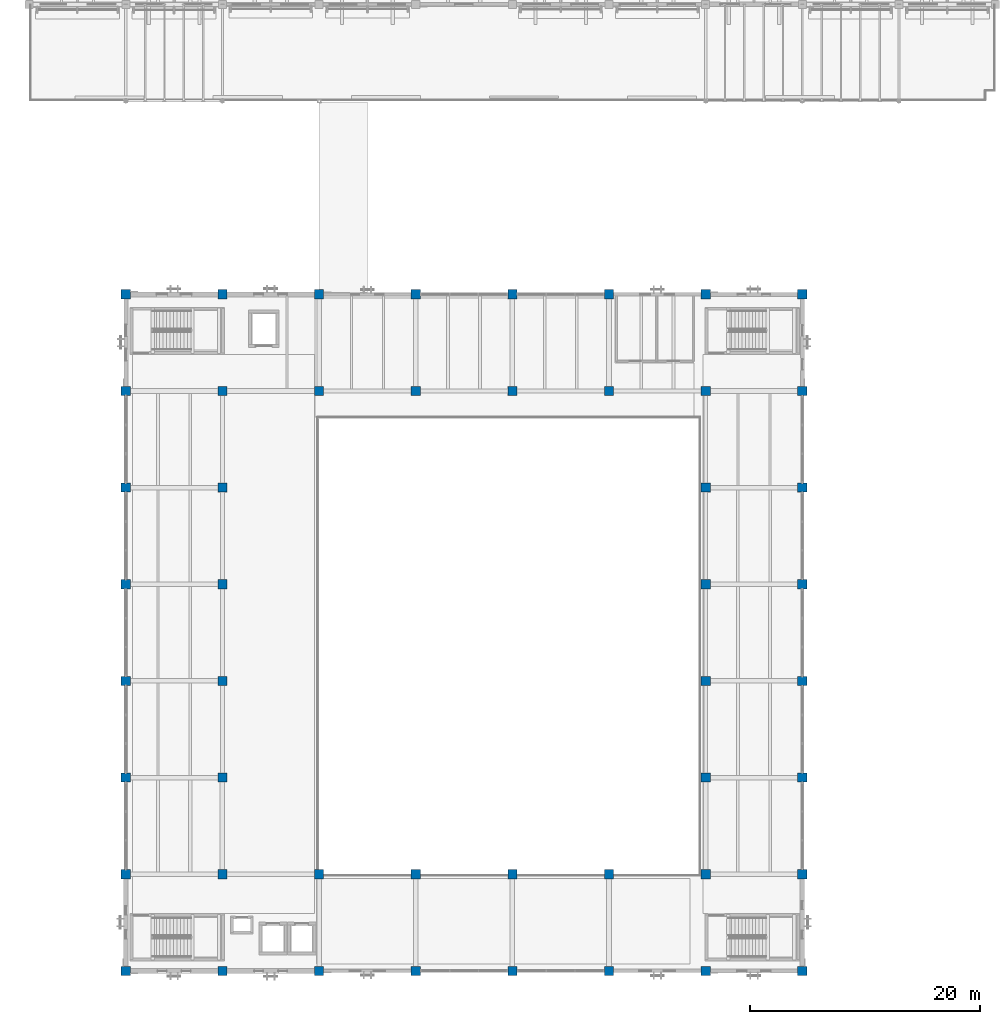
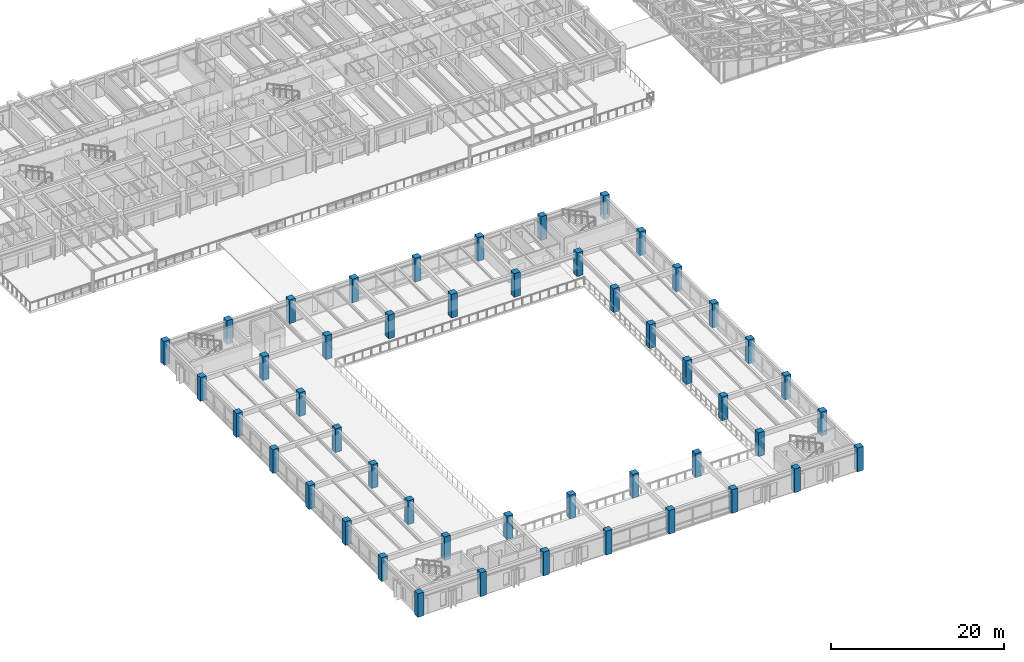
# One storey, part 1 of 111: 48 columns.
"""IFC4 building model written with IfcOpenShell, lengths in metres."""

from ifc_helpers import new_model, si_unit, direction, frame, origin, origin_2d, place, context, subcontext, project, spatial, rectangle, extrude, material, material_profile, profile_set, type_object, element, save


model = new_model("IFC4")

# Units and contexts
model_context = context("Model", 3, precision=1e-05, world=origin(), true_north=direction((0.0, 1.0)))
body_context = subcontext(model_context, "Body", "Model", "MODEL_VIEW")
ifc_project = project(units=[si_unit("LENGTHUNIT", "METRE"), si_unit("AREAUNIT", "SQUARE_METRE"), si_unit("VOLUMEUNIT", "CUBIC_METRE"), si_unit("PLANEANGLEUNIT", "RADIAN"), si_unit("MASSUNIT", "GRAM", prefix="KILO")], contexts=[model_context])

# Site, building, storey
site_placement = place(None, origin())
site = spatial("IfcSite", under=ifc_project, at=site_placement, CompositionType="ELEMENT")
building_placement = place(site_placement, origin())
building = spatial("IfcBuilding", under=site, at=building_placement, Name="Cumbredor Promenade Congress Hotel", CompositionType="ELEMENT")
storey_placement = place(building_placement, frame((0.0, 0.0, 15.1201171875)))
storey = spatial("IfcBuildingStorey", under=building, at=storey_placement, Name="L04", CompositionType="ELEMENT", Elevation=15.1201171875)

# Columns
ifc_material = material(Name="Concrete C50/60", Category="concrete")
ifc_material_profile = material_profile(ifc_material, rectangle(XDim=0.800048828125, YDim=0.800048828125, at=origin_2d()), Name="RC 800x800")
ifc_profile_set = profile_set([ifc_material_profile], Name="Concrete C50/60")
column_type = type_object("IfcColumnType", Name="COL-RC-800", PredefinedType="COLUMN", material=ifc_profile_set)
for number, where, z_axis, x_axis, name in (
    (1, (8.39990234375, 8.39990234375, 0.0), (0.0, 0.0, 1.0), (1.0, 0.0, 0.0), "L04 Structural Column 005"),
    (2, (8.39990234375, 16.800048828125, 0.0), (0.0, 0.0, 1.0), (1.0, 0.0, 0.0), "L04 Structural Column 006"),
    (3, (8.39990234375, 25.199951171875, 0.0), (0.0, 0.0, 1.0), (1.0, 0.0, 0.0), "L04 Structural Column 007"),
    (4, (8.39990234375, 33.60009765625, 0.0), (0.0, 0.0, 1.0), (1.0, 0.0, 0.0), "L04 Structural Column 008"),
    (5, (8.39990234375, 42.0, 0.0), (0.0, 0.0, 1.0), (1.0, 0.0, 0.0), "L04 Structural Column 009"),
    (6, (8.39990234375, 50.39990234375, 0.0), (0.0, 0.0, 1.0), (1.0, 0.0, 0.0), "L04 Structural Column 010"),
    (7, (8.39990234375, 58.800048828125, 0.0), (0.0, 0.0, 1.0), (1.0, 0.0, 0.0), "L04 Structural Column 011"),
    (8, (8.39990234375, 67.199951171875, 0.0), (0.0, 0.0, 1.0), (1.0, 0.0, 0.0), "L04 Structural Column 012"),
    (9, (16.800048828125, 8.39990234375, 0.0), (0.0, 0.0, 1.0), (1.0, 0.0, 0.0), "L04 Structural Column 017"),
    (10, (16.800048828125, 16.800048828125, 0.0), (0.0, 0.0, 1.0), (1.0, 0.0, 0.0), "L04 Structural Column 018"),
    (11, (16.800048828125, 25.199951171875, 0.0), (0.0, 0.0, 1.0), (1.0, 0.0, 0.0), "L04 Structural Column 019"),
    (12, (16.800048828125, 33.60009765625, 0.0), (0.0, 0.0, 1.0), (1.0, 0.0, 0.0), "L04 Structural Column 020"),
    (13, (16.800048828125, 42.0, 0.0), (0.0, 0.0, 1.0), (1.0, 0.0, 0.0), "L04 Structural Column 021"),
    (14, (16.800048828125, 50.39990234375, 0.0), (0.0, 0.0, 1.0), (1.0, 0.0, 0.0), "L04 Structural Column 022"),
    (15, (16.800048828125, 58.800048828125, 0.0), (0.0, 0.0, 1.0), (1.0, 0.0, 0.0), "L04 Structural Column 023"),
    (16, (16.800048828125, 67.199951171875, 0.0), (0.0, 0.0, 1.0), (1.0, 0.0, 0.0), "L04 Structural Column 024"),
    (17, (25.199951171875, 8.39990234375, 0.0), (0.0, 0.0, 1.0), (1.0, 0.0, 0.0), "L04 Structural Column 029"),
    (18, (25.199951171875, 16.800048828125, 0.0), (0.0, 0.0, 1.0), (1.0, 0.0, 0.0), "L04 Structural Column 030"),
    (19, (25.199951171875, 58.800048828125, 0.0), (0.0, 0.0, 1.0), (1.0, 0.0, 0.0), "L04 Structural Column 031"),
    (20, (25.199951171875, 67.199951171875, 0.0), (0.0, 0.0, 1.0), (1.0, 0.0, 0.0), "L04 Structural Column 032"),
    (21, (33.60009765625, 8.39990234375, 0.0), (0.0, 0.0, 1.0), (1.0, 0.0, 0.0), "L04 Structural Column 037"),
    (22, (33.60009765625, 16.800048828125, 0.0), (0.0, 0.0, 1.0), (1.0, 0.0, 0.0), "L04 Structural Column 038"),
    (23, (33.60009765625, 58.800048828125, 0.0), (0.0, 0.0, 1.0), (1.0, 0.0, 0.0), "L04 Structural Column 039"),
    (24, (33.60009765625, 67.199951171875, 0.0), (0.0, 0.0, 1.0), (1.0, 0.0, 0.0), "L04 Structural Column 040"),
    (25, (42.0, 8.39990234375, 0.0), (0.0, 0.0, 1.0), (1.0, 0.0, 0.0), "L04 Structural Column 045"),
    (26, (42.0, 16.800048828125, 0.0), (0.0, 0.0, 1.0), (1.0, 0.0, 0.0), "L04 Structural Column 046"),
    (27, (42.0, 58.800048828125, 0.0), (0.0, 0.0, 1.0), (1.0, 0.0, 0.0), "L04 Structural Column 047"),
    (28, (42.0, 67.199951171875, 0.0), (0.0, 0.0, 1.0), (1.0, 0.0, 0.0), "L04 Structural Column 048"),
    (29, (50.39990234375, 8.39990234375, 0.0), (0.0, 0.0, 1.0), (1.0, 0.0, 0.0), "L04 Structural Column 053"),
    (30, (50.39990234375, 16.800048828125, 0.0), (0.0, 0.0, 1.0), (1.0, 0.0, 0.0), "L04 Structural Column 054"),
    (31, (50.39990234375, 58.800048828125, 0.0), (0.0, 0.0, 1.0), (1.0, 0.0, 0.0), "L04 Structural Column 055"),
    (32, (50.39990234375, 67.199951171875, 0.0), (0.0, 0.0, 1.0), (1.0, 0.0, 0.0), "L04 Structural Column 056"),
    (33, (58.800048828125, 8.39990234375, 0.0), (0.0, 0.0, 1.0), (1.0, 0.0, 0.0), "L04 Structural Column 061"),
    (34, (58.800048828125, 16.800048828125, 0.0), (0.0, 0.0, 1.0), (1.0, 0.0, 0.0), "L04 Structural Column 062"),
    (35, (58.800048828125, 25.199951171875, 0.0), (0.0, 0.0, 1.0), (1.0, 0.0, 0.0), "L04 Structural Column 063"),
    (36, (58.800048828125, 33.60009765625, 0.0), (0.0, 0.0, 1.0), (1.0, 0.0, 0.0), "L04 Structural Column 064"),
    (37, (58.800048828125, 42.0, 0.0), (0.0, 0.0, 1.0), (1.0, 0.0, 0.0), "L04 Structural Column 065"),
    (38, (58.800048828125, 50.39990234375, 0.0), (0.0, 0.0, 1.0), (1.0, 0.0, 0.0), "L04 Structural Column 066"),
    (39, (58.800048828125, 58.800048828125, 0.0), (0.0, 0.0, 1.0), (1.0, 0.0, 0.0), "L04 Structural Column 067"),
    (40, (58.800048828125, 67.199951171875, 0.0), (0.0, 0.0, 1.0), (1.0, 0.0, 0.0), "L04 Structural Column 068"),
    (41, (67.199951171875, 8.39990234375, 0.0), (0.0, 0.0, 1.0), (1.0, 0.0, 0.0), "L04 Structural Column 073"),
    (42, (67.199951171875, 16.800048828125, 0.0), (0.0, 0.0, 1.0), (1.0, 0.0, 0.0), "L04 Structural Column 074"),
    (43, (67.199951171875, 25.199951171875, 0.0), (0.0, 0.0, 1.0), (1.0, 0.0, 0.0), "L04 Structural Column 075"),
    (44, (67.199951171875, 33.60009765625, 0.0), (0.0, 0.0, 1.0), (1.0, 0.0, 0.0), "L04 Structural Column 076"),
    (45, (67.199951171875, 42.0, 0.0), (0.0, 0.0, 1.0), (1.0, 0.0, 0.0), "L04 Structural Column 077"),
    (46, (67.199951171875, 50.39990234375, 0.0), (0.0, 0.0, 1.0), (1.0, 0.0, 0.0), "L04 Structural Column 078"),
    (47, (67.199951171875, 58.800048828125, 0.0), (0.0, 0.0, 1.0), (1.0, 0.0, 0.0), "L04 Structural Column 079"),
    (48, (67.199951171875, 67.199951171875, 0.0), (0.0, 0.0, 1.0), (1.0, 0.0, 0.0), "L04 Structural Column 080"),
):
    element("IfcColumn", number, at=place(storey_placement, frame(where, z_axis=z_axis, x_axis=x_axis)), inside=storey, type_object=column_type, Name=name, PredefinedType="COLUMN", context=body_context, shape_type="SweptSolid", body=[
        extrude(rectangle(XDim=0.800048828125, YDim=0.800048828125, at=origin_2d()), origin(), (0.0, 0.0, 1.0), 3.35986328125),
    ])

save(model, "model.ifc")
